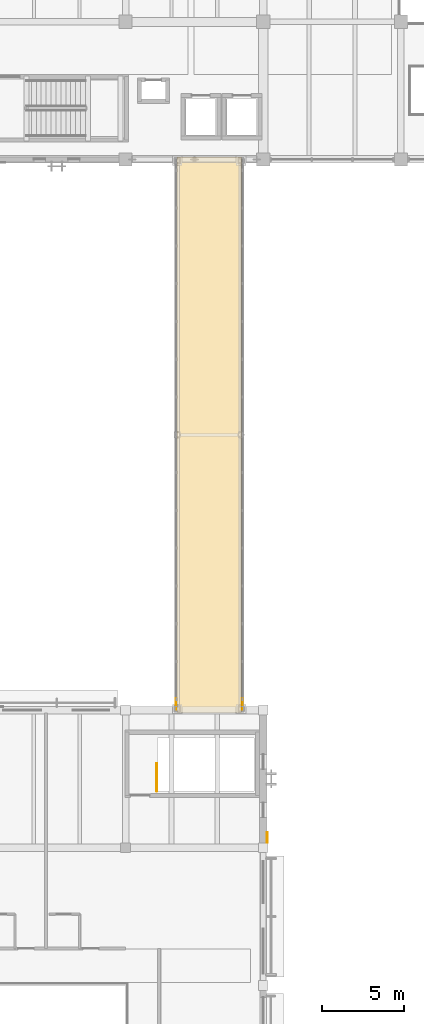
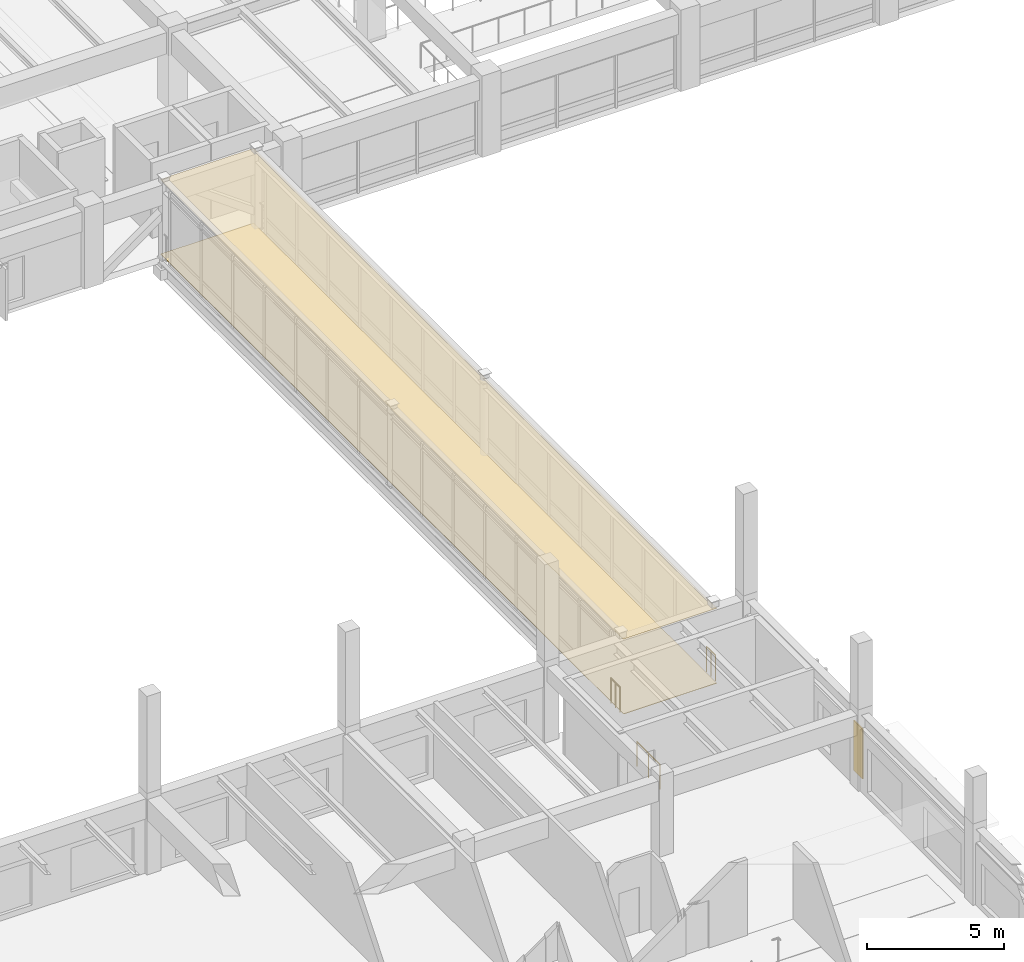
# One storey, part 98 of 118: 3 coverings, 3 railings.
"""IFC4 building model written with IfcOpenShell, lengths in metres."""

from ifc_helpers import new_model, si_unit, direction, frame, origin, origin_2d, place, context, subcontext, project, spatial, polyline, circle, outline, extrude, material, layer, layer_set, type_object, element, save


model = new_model("IFC4")

# Units and contexts
model_context = context("Model", 3, precision=1e-05, world=origin(), true_north=direction((0.0, 1.0)))
body_context = subcontext(model_context, "Body", "Model", "MODEL_VIEW")
ifc_project = project(units=[si_unit("LENGTHUNIT", "METRE"), si_unit("AREAUNIT", "SQUARE_METRE"), si_unit("VOLUMEUNIT", "CUBIC_METRE"), si_unit("PLANEANGLEUNIT", "RADIAN"), si_unit("MASSUNIT", "GRAM", prefix="KILO")], contexts=[model_context])

# Site, building, storey
site_placement = place(None, origin())
site = spatial("IfcSite", under=ifc_project, at=site_placement, CompositionType="ELEMENT")
building_placement = place(site_placement, origin())
building = spatial("IfcBuilding", under=site, at=building_placement, Name="Cumbredor Promenade Congress Hotel", CompositionType="ELEMENT")
storey_placement = place(building_placement, frame((0.0, 0.0, 3.919921875)))
storey = spatial("IfcBuildingStorey", under=building, at=storey_placement, Name="L01", CompositionType="ELEMENT", Elevation=3.919921875)

# Coverings
ifc_material_1 = material(Name="Acoustic mineral-fiber and gypsum ceiling")
ifc_layer_1 = layer(ifc_material_1, 0.02197265625, Name="Acoustic mineral-fiber and gypsum ceiling")
ifc_layer_set_1 = layer_set([ifc_layer_1], Name="Acoustic mineral-fiber and gypsum ceiling")
covering_type_1 = type_object("IfcCoveringType", Name="Acoustic Perforated Gypsum Ceiling CLG-02 22mm", PredefinedType="CEILING", material=ifc_layer_set_1)
covering_1_placement = place(storey_placement, frame((0.0, 0.0, 3.338134765625)))
element("IfcCovering", 1, at=covering_1_placement, inside=storey, type_object=covering_type_1, Name="L01 Central Reflecting-Pool Promenade Bridge Concourse Acoustic Ceiling", PredefinedType="CEILING", context=body_context, shape_type="SweptSolid", body=[
    extrude(outline(polyline([(103.929931640625, 50.260009765625), (103.929931640625, 84.139892578125), (107.8701171875, 84.139892578125), (107.8701171875, 50.260009765625), (103.929931640625, 50.260009765625)])), origin(), (0.0, 0.0, 1.0), 0.02197265625),
])
ifc_material_2 = material(Name="Precast concrete C40/50", Category="concrete")
ifc_layer_2 = layer(ifc_material_2, 0.044921875, Name="Precast concrete C40/50", Category="concrete")
ifc_layer_set_2 = layer_set([ifc_layer_2], Name="Precast concrete C40/50")
covering_type_2 = type_object("IfcCoveringType", Name="Board-Formed Architectural Cladding Panel 45mm", PredefinedType="CLADDING", material=ifc_layer_set_2)
covering_2_placement = place(storey_placement, origin())
element("IfcCovering", 2, at=covering_2_placement, inside=storey, type_object=covering_type_2, Name="L01 Facade Stone Cladding Pier 070", PredefinedType="CLADDING", context=body_context, shape_type="SweptSolid", body=[
    extrude(outline(polyline([(109.425048828125, 42.301025390625), (109.425048828125, 42.950927734375), (109.469970703125, 42.950927734375), (109.469970703125, 42.301025390625), (109.425048828125, 42.301025390625)])), origin(), (0.0, 0.0, 1.0), 2.25),
])

# Railing
ifc_material_3 = material(Name="Brushed stainless steel", Category="steel")
railing_type_1 = type_object("IfcRailingType", Name="Interior Void & Stair Guardrail GR-1100", PredefinedType="GUARDRAIL", material=ifc_material_3)
railing_placement = place(storey_placement, frame((102.699951171875, 45.449951171875, 0.0)))
element("IfcRailing", 3, at=railing_placement, inside=storey, type_object=railing_type_1, Name="L01 ST-12 top well guard 1", PredefinedType="GUARDRAIL", context=body_context, shape_type="SweptSolid", body=[
    extrude(circle(Radius=0.02392578125, at=origin_2d()), frame((0.0, 0.0, 1.09619140625), z_axis=(0.0, 1.0, 0.0), x_axis=(-1.0, 0.0, 0.0)), (0.0, 0.0, 1.0), 1.699951171875),
    extrude(circle(Radius=0.02099609375, at=origin_2d()), origin(), (0.0, 0.0, 1.0), 1.072021484375),
    extrude(circle(Radius=0.02099609375, at=origin_2d()), frame((0.0, 0.85009765625, 0.0)), (0.0, 0.0, 1.0), 1.072021484375),
    extrude(circle(Radius=0.02099609375, at=origin_2d()), frame((0.0, 1.699951171875, 0.0)), (0.0, 0.0, 1.0), 1.072021484375),
])

# Covering
ifc_material_4 = material(Name="Porcelain stoneware tile", Category="masonry")
ifc_layer_3 = layer(ifc_material_4, 0.02001953125, Name="Porcelain stoneware tile", Category="masonry")
ifc_layer_set_3 = layer_set([ifc_layer_3], Name="Porcelain stoneware tile")
covering_type_3 = type_object("IfcCoveringType", Name="Porcelain Stoneware Flooring FLR-01 20mm", PredefinedType="FLOORING", material=ifc_layer_set_3)
covering_3_placement = place(storey_placement, origin())
element("IfcCovering", 4, at=covering_3_placement, inside=storey, type_object=covering_type_3, Name="L01 Central Reflecting-Pool Promenade Bridge Concourse Porcelain Flooring", PredefinedType="FLOORING", context=body_context, shape_type="SweptSolid", body=[
    extrude(outline(polyline([(103.929931640625, 50.260009765625), (103.929931640625, 84.139892578125), (107.8701171875, 84.139892578125), (107.8701171875, 50.260009765625), (103.929931640625, 50.260009765625)])), origin(), (0.0, 0.0, 1.0), 0.02001953125),
])

# Railings
railing_type_2 = type_object("IfcRailingType", Name="Sky Garden Glass-and-Steel Balustrade BAL-1150", PredefinedType="BALUSTRADE", material=ifc_material_3)
for number, where, name in (
    (5, (103.8798828125, 50.429931640625, 0.0), "L01 Central Reflecting-Pool Promenade Bridge End Guardrail SW"),
    (6, (107.919921875, 50.429931640625, 0.0), "L01 Central Reflecting-Pool Promenade Bridge End Guardrail SE"),
):
    element("IfcRailing", number, at=place(storey_placement, frame(where)), inside=storey, type_object=railing_type_2, Name=name, PredefinedType="BALUSTRADE", context=body_context, shape_type="SweptSolid", body=[
        extrude(circle(Radius=0.02392578125, at=origin_2d()), frame((0.0, 0.0, 1.1259765625), z_axis=(0.0, 1.0, 0.0), x_axis=(-1.0, 0.0, 0.0)), (0.0, 0.0, 1.0), 0.670166015625),
        extrude(circle(Radius=0.02099609375, at=origin_2d()), origin(), (0.0, 0.0, 1.0), 1.101806640625),
        extrude(circle(Radius=0.02099609375, at=origin_2d()), frame((0.0, 0.3349609375, 0.0)), (0.0, 0.0, 1.0), 1.101806640625),
        extrude(circle(Radius=0.02099609375, at=origin_2d()), frame((0.0, 0.670166015625, 0.0)), (0.0, 0.0, 1.0), 1.101806640625),
    ])

save(model, "model.ifc")
